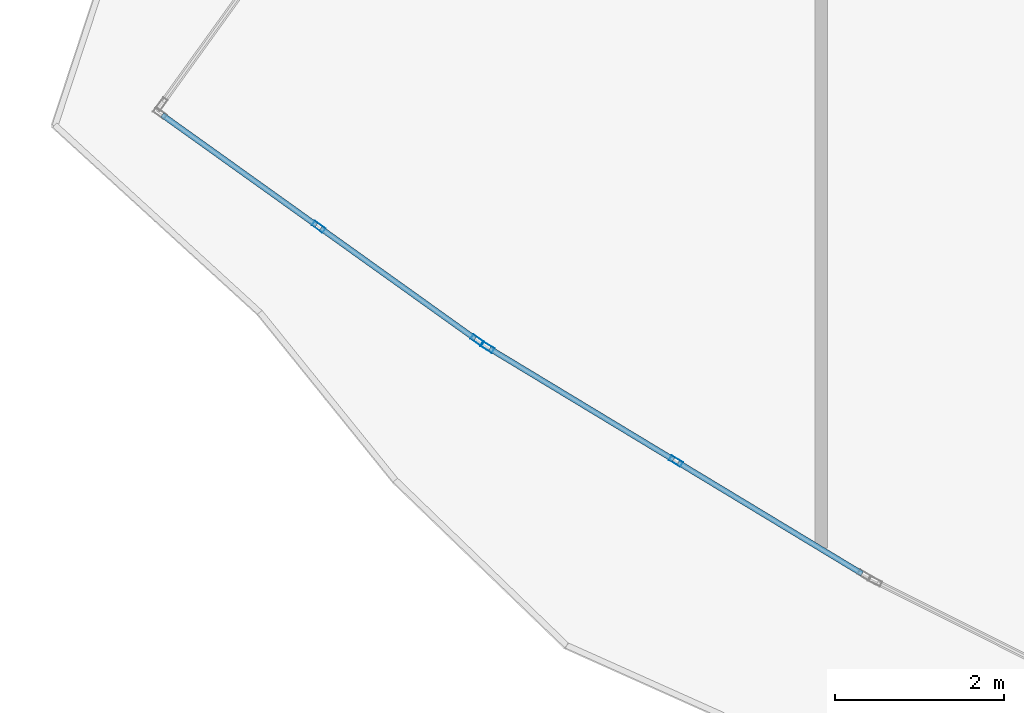
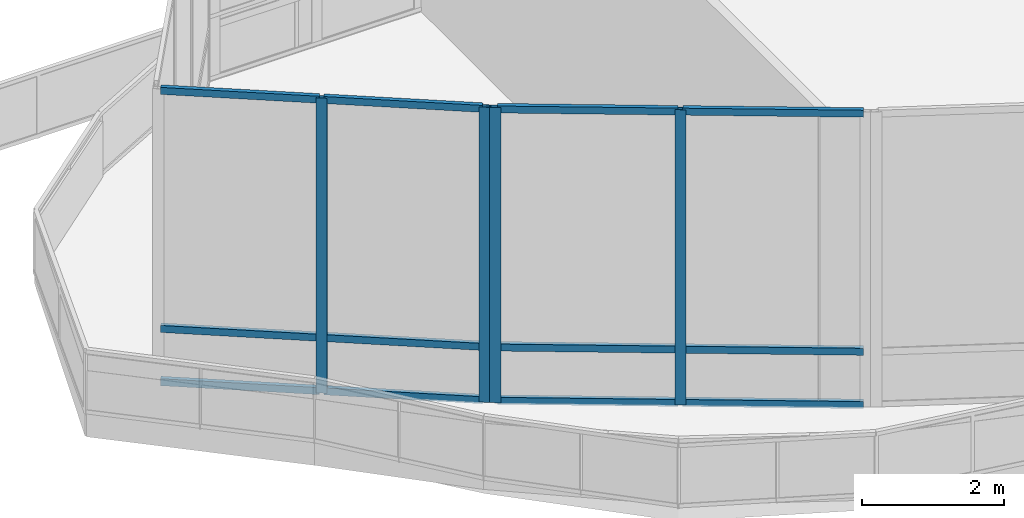
# One storey, part 15 of 158: 16 members, 2 elements without a shape of their own.
"""IFC4 building model written with IfcOpenShell, lengths in metres."""

import ifcopenshell
import ifcopenshell.guid

model = None  # the IFC model being written
_history = None  # IfcOwnerHistory: only IFC2X3 demands one
_inside = {}  # id of a spatial element -> (the spatial element, [elements in it])
_under = {}  # id of a project, library or spatial element -> (it, [spatial elements below it])
_declared = {}  # id of a project -> (the project, [libraries it declares])
_typed = {}  # id of a type object -> (the type object, [elements of that type])
_made_of = {}  # id of a material, layer set ... -> (it, [elements and type objects made of it])


def new_model(schema):
    """Start an empty IFC model of exactly this schema.

    Asked for "IFC4X3", IfcOpenShell would pick the latest addendum, in which some entities
    have other attributes; the version numbers below select the first issue.
    IFC2X3 requires an IfcOwnerHistory on every rooted entity: one is made here for all.
    """
    global model, _history
    if schema == "IFC4X3":
        model = ifcopenshell.file(schema_version=(4, 3, 0, 0))
    else:
        model = ifcopenshell.file(schema=schema)
    _inside.clear()
    _under.clear()
    _declared.clear()
    _typed.clear()
    _made_of.clear()
    _history = None
    if model.schema == "IFC2X3":
        org = make("IfcOrganization", Name="unknown")
        user = make(
            "IfcPersonAndOrganization",
            ThePerson=make("IfcPerson", FamilyName="unknown"),
            TheOrganization=org,
        )
        app = make(
            "IfcApplication",
            ApplicationDeveloper=org,
            Version="unknown",
            ApplicationFullName="unknown",
            ApplicationIdentifier="unknown",
        )
        _history = make(
            "IfcOwnerHistory",
            OwningUser=user,
            OwningApplication=app,
            ChangeAction="ADDED",
            CreationDate=0,
        )
    return model


def make(cls, **values):
    """One entity of the class cls with the attributes given. An attribute that is None is left unset."""
    return model.create_entity(
        cls, **{name: value for name, value in values.items() if value is not None}
    )


def rooted(cls, **values):
    """An entity with a GlobalId (a new one), such as an element, a storey or a relation."""
    return make(cls, GlobalId=ifcopenshell.guid.new(), OwnerHistory=_history, **values)


def si_unit(unit_type, name, prefix=None):
    """IfcSIUnit, for example si_unit("LENGTHUNIT", "METRE", prefix="MILLI")."""
    return make("IfcSIUnit", UnitType=unit_type, Prefix=prefix, Name=name)


def assignment(units):
    """IfcUnitAssignment: the units of a project."""
    return None if units is None else make("IfcUnitAssignment", Units=units)


def point(xyz):
    """IfcCartesianPoint."""
    return None if xyz is None else make("IfcCartesianPoint", Coordinates=xyz)


def direction(xyz):
    """IfcDirection."""
    return None if xyz is None else make("IfcDirection", DirectionRatios=xyz)


def frame(location, z_axis=None, x_axis=None):
    """IfcAxis2Placement3D, a coordinate frame: its origin and axes. An axis left out is left unset."""
    return make(
        "IfcAxis2Placement3D",
        Location=point(location),
        Axis=direction(z_axis),
        RefDirection=direction(x_axis),
    )


def frame_2d(location, x_axis=None):
    """IfcAxis2Placement2D, a coordinate frame in the plane: its origin and x axis."""
    return make(
        "IfcAxis2Placement2D", Location=point(location), RefDirection=direction(x_axis)
    )


def origin():
    """The frame at (0, 0, 0) with its axes left unset."""
    return frame((0.0, 0.0, 0.0))


def origin_2d():
    """The frame at (0, 0) in the plane with its x axis left unset."""
    return frame_2d((0.0, 0.0))


def place(relative_to, where):
    """IfcLocalPlacement: puts the frame where relative to a parent placement (None: the world)."""
    return make(
        "IfcLocalPlacement", PlacementRelTo=relative_to, RelativePlacement=where
    )


def context(
    kind, dimensions, precision=None, world=None, true_north=None, identifier=None
):
    """IfcGeometricRepresentationContext, for example the 3D "Model" context."""
    return make(
        "IfcGeometricRepresentationContext",
        ContextIdentifier=identifier,
        ContextType=kind,
        CoordinateSpaceDimension=dimensions,
        Precision=precision,
        WorldCoordinateSystem=world,
        TrueNorth=true_north,
    )


def subcontext(parent, identifier, kind, view, scale=None):
    """IfcGeometricRepresentationSubContext, for example "Body" below "Model"."""
    return make(
        "IfcGeometricRepresentationSubContext",
        ContextIdentifier=identifier,
        ContextType=kind,
        ParentContext=parent,
        TargetScale=scale,
        TargetView=view,
    )


def project(units=None, contexts=None):
    """IfcProject with its units and contexts."""
    return rooted(
        "IfcProject",
        Name="project",
        RepresentationContexts=contexts,
        UnitsInContext=assignment(units),
    )


def spatial(cls, under=None, at=None, **own):
    """A site, building, storey or space (cls), placed at a placement, below another one or the project."""
    s = rooted(cls, ObjectPlacement=at, **own)
    if under is not None:
        _under.setdefault(under.id(), (under, []))[1].append(s)
    return s


def profile(cls, at=None, kind="AREA", **sizes):
    """A parametric profile (cls). Its sizes go by their IFC names, for example OverallWidth=200.0."""
    return make(cls, ProfileType=kind, Position=at, **sizes)


def hollow_rectangle(**sizes):
    """IfcRectangleHollowProfileDef."""
    return profile("IfcRectangleHollowProfileDef", **sizes)


def extrude(swept, where, along, depth):
    """IfcExtrudedAreaSolid: the profile swept, set in the frame where, extruded along a direction by depth."""
    return make(
        "IfcExtrudedAreaSolid",
        SweptArea=swept,
        Position=where,
        ExtrudedDirection=direction(along),
        Depth=depth,
    )


def shape(context_of_items, identifier, shape_type, items):
    """IfcShapeRepresentation: the items that make up one representation, for example the "Body"."""
    return make(
        "IfcShapeRepresentation",
        ContextOfItems=context_of_items,
        RepresentationIdentifier=identifier,
        RepresentationType=shape_type,
        Items=items,
    )


def material(Name=None, Category=None):
    """IfcMaterial."""
    return make("IfcMaterial", Name=Name, Category=Category)


def material_profile(
    of_material, cross_section, Name=None, Category=None, Priority=None
):
    """IfcMaterialProfile: a cross section and its material."""
    return make(
        "IfcMaterialProfile",
        Name=Name,
        Material=of_material,
        Profile=cross_section,
        Priority=Priority,
        Category=Category,
    )


def profile_set(profiles, Name=None, composite=None):
    """IfcMaterialProfileSet."""
    return make(
        "IfcMaterialProfileSet",
        Name=Name,
        MaterialProfiles=profiles,
        CompositeProfile=composite,
    )


def made_of(thing, what):
    """Note that an element or type object is made of a material, layer set ...; save() writes the relation."""
    if what is not None:
        _made_of.setdefault(what.id(), (what, []))[1].append(thing)
    return thing


def type_object(cls, material=None, **own):
    """A type object (cls), such as IfcWallType, which elements share."""
    return made_of(rooted(cls, **own), material)


def element(
    cls,
    number,
    at=None,
    inside=None,
    cuts=None,
    type_object=None,
    material=None,
    context=None,
    identifier="Body",
    shape_type=None,
    held_by="IfcProductDefinitionShape",
    body=None,
    shapes=None,
    **own,
):
    """One element of the class cls, such as IfcWall. Its Tag is "e" and its number.

    at: its placement. inside: the storey or other place that contains it. cuts: it is an
    opening in that element (IfcRelVoidsElement). A single representation is given by context,
    identifier, shape_type and body (its items); several are given by shapes. held_by: the class
    of the entity that holds the representations. save() writes the other relations.
    """
    e = rooted(cls, Tag="e%d" % number, ObjectPlacement=at, **own)
    if body is not None:
        shapes = [shape(context, identifier, shape_type, body)]
    if shapes is not None:
        e.Representation = make(held_by, Representations=shapes)
    if inside is not None:
        _inside.setdefault(inside.id(), (inside, []))[1].append(e)
    if cuts is not None:
        rooted(
            "IfcRelVoidsElement", RelatingBuildingElement=cuts, RelatedOpeningElement=e
        )
    if type_object is not None:
        _typed.setdefault(type_object.id(), (type_object, []))[1].append(e)
    return made_of(e, material)


def aggregate(whole, parts):
    """IfcRelAggregates: a whole, such as a stair, and the parts it consists of."""
    return rooted("IfcRelAggregates", RelatingObject=whole, RelatedObjects=parts)


def save(model, path):
    """Write the relations noted so far, then the file.

    IfcRelAggregates (storeys below a building ...), IfcRelContainedInSpatialStructure (elements
    in a storey), IfcRelDefinesByType, IfcRelAssociatesMaterial and IfcRelDeclares: one each for
    every whole, place, type object, material and project.
    """
    for whole, parts in _under.values():
        aggregate(whole, parts)
    for where, things in _inside.values():
        rooted(
            "IfcRelContainedInSpatialStructure",
            RelatedElements=things,
            RelatingStructure=where,
        )
    for kind, things in _typed.values():
        rooted("IfcRelDefinesByType", RelatedObjects=things, RelatingType=kind)
    for what, things in _made_of.values():
        rooted("IfcRelAssociatesMaterial", RelatedObjects=things, RelatingMaterial=what)
    for by, libraries in _declared.values():
        rooted("IfcRelDeclares", RelatingContext=by, RelatedDefinitions=libraries)
    model.write(path)


model = new_model("IFC4")

# Units and contexts
model_context = context("Model", 3, precision=1e-05, world=origin(), true_north=direction((0.0, 1.0)))
body_context = subcontext(model_context, "Body", "Model", "MODEL_VIEW")
ifc_project = project(units=[si_unit("LENGTHUNIT", "METRE"), si_unit("AREAUNIT", "SQUARE_METRE"), si_unit("VOLUMEUNIT", "CUBIC_METRE"), si_unit("PLANEANGLEUNIT", "RADIAN"), si_unit("MASSUNIT", "GRAM", prefix="KILO")], contexts=[model_context])

# Site, building, storey
site_placement = place(None, origin())
site = spatial("IfcSite", under=ifc_project, at=site_placement, CompositionType="ELEMENT")
building_placement = place(site_placement, origin())
building = spatial("IfcBuilding", under=site, at=building_placement, Name="Selatvlak General Hospital", CompositionType="ELEMENT")
storey_placement = place(building_placement, origin())
storey = spatial("IfcBuildingStorey", under=building, at=storey_placement, Name="L00", CompositionType="ELEMENT", Elevation=0.0)

# Curtain wall, members
ifc_material_1 = material(Name="Solar-control Low-E double glazing", Category="glass")
curtain_wall_type_1 = type_object("IfcCurtainWallType", Name="CW-CW-01", PredefinedType="USERDEFINED", material=ifc_material_1)
curtain_wall_1_placement = place(storey_placement, origin())
curtain_wall_1 = element("IfcCurtainWall", 1, at=curtain_wall_1_placement, inside=storey, type_object=curtain_wall_type_1, Name="Glazed facade curtain wall CW-L00-0061", ObjectType="UNITISED CURTAIN WALL", PredefinedType="USERDEFINED")
ifc_material_2 = material(Name="Dark anodised aluminium mullion", Category="aluminium")
ifc_material_profile_1 = material_profile(ifc_material_2, hollow_rectangle(XDim=0.06494140625, YDim=0.159912109375, WallThickness=0.00390625, at=origin_2d()), Name="AL-MUL 65x160x4")
ifc_profile_set_1 = profile_set([ifc_material_profile_1], Name="Dark anodised aluminium mullion")
member_type_1 = type_object("IfcMemberType", Name="CWM-01", PredefinedType="MULLION", material=ifc_profile_set_1)
member_1_placement = place(storey_placement, frame((21.075439453125, 21.799072265625, 0.0), z_axis=(0.0, 0.0, 1.0), x_axis=(-0.517412897815, -0.855735878163, 0.0)))
member_1 = element("IfcMember", 2, at=member_1_placement, type_object=member_type_1, Name="CW-01 mullion 2", PredefinedType="MULLION", context=body_context, shape_type="SweptSolid", body=[
    extrude(hollow_rectangle(XDim=0.06494140625, YDim=0.159912109375, WallThickness=0.00390625, at=origin_2d()), origin(), (0.0, 0.0, 1.0), 5.080078125),
])
member_2_placement = place(storey_placement, frame((18.8408203125, 23.150146484375, 0.0), z_axis=(0.0, 0.0, 1.0), x_axis=(-0.517412897815, -0.855735878163, 0.0)))
member_2 = element("IfcMember", 3, at=member_2_placement, type_object=member_type_1, Name="CW-01 mullion 3", PredefinedType="MULLION", context=body_context, shape_type="SweptSolid", body=[
    extrude(hollow_rectangle(XDim=0.06494140625, YDim=0.159912109375, WallThickness=0.00390625, at=origin_2d()), origin(), (0.0, 0.0, 1.0), 5.080078125),
])

curtain_wall_type_2 = type_object("IfcCurtainWallType", Name="CW-CW-02", PredefinedType="USERDEFINED", material=ifc_material_1)
curtain_wall_2_placement = place(storey_placement, origin())
curtain_wall_2 = element("IfcCurtainWall", 4, at=curtain_wall_2_placement, inside=storey, type_object=curtain_wall_type_2, Name="Glazed facade curtain wall CW-L00-0062", ObjectType="UNITISED CURTAIN WALL", PredefinedType="USERDEFINED")
member_3_placement = place(storey_placement, frame((18.720458984375, 23.23193359375, 0.0), z_axis=(0.0, 0.0, 1.0), x_axis=(-0.581802726189, -0.813329937847, 0.0)))
member_3 = element("IfcMember", 5, at=member_3_placement, type_object=member_type_1, Name="CW-02 mullion 1", PredefinedType="MULLION", context=body_context, shape_type="SweptSolid", body=[
    extrude(hollow_rectangle(XDim=0.06494140625, YDim=0.159912109375, WallThickness=0.00390625, at=origin_2d()), origin(), (0.0, 0.0, 1.0), 5.080078125),
])
member_4_placement = place(storey_placement, frame((16.839599609375, 24.577392578125, 0.0), z_axis=(0.0, 0.0, 1.0), x_axis=(-0.581802726189, -0.813329937847, 0.0)))
member_4 = element("IfcMember", 6, at=member_4_placement, type_object=member_type_1, Name="CW-02 mullion 2", PredefinedType="MULLION", context=body_context, shape_type="SweptSolid", body=[
    extrude(hollow_rectangle(XDim=0.06494140625, YDim=0.159912109375, WallThickness=0.00390625, at=origin_2d()), origin(), (0.0, 0.0, 1.0), 5.080078125),
])

# Member
ifc_material_profile_2 = material_profile(ifc_material_2, hollow_rectangle(XDim=0.06494140625, YDim=0.1201171875, WallThickness=0.00390625, at=origin_2d()), Name="AL-TRN 65x120x4")
ifc_profile_set_2 = profile_set([ifc_material_profile_2], Name="Dark anodised aluminium mullion")
member_type_2 = type_object("IfcMemberType", Name="CWT-01", PredefinedType="USERDEFINED", material=ifc_profile_set_2)
member_5_placement = place(storey_placement, frame((23.282470703125, 20.464599609375, 0.032470703125), z_axis=(-0.85573691943, 0.517411175685, 0.0), x_axis=(-0.517411175685, -0.85573691943, 0.0)))
member_5 = element("IfcMember", 7, at=member_5_placement, type_object=member_type_2, Name="CW-01 transom 1.1", ObjectType="TRANSOM", PredefinedType="USERDEFINED", context=body_context, shape_type="SweptSolid", body=[
    extrude(hollow_rectangle(XDim=0.06494140625, YDim=0.1201171875, WallThickness=0.00390625, at=origin_2d()), origin(), (0.0, 0.0, 1.0), 2.546630859375),
])

member_6_placement = place(storey_placement, frame((23.282470703125, 20.464599609375, 0.949951171875), z_axis=(-0.85573691943, 0.517411175685, 0.0), x_axis=(-0.517411175685, -0.85573691943, 0.0)))
member_6 = element("IfcMember", 8, at=member_6_placement, type_object=member_type_2, Name="CW-01 transom 1.2", ObjectType="TRANSOM", PredefinedType="USERDEFINED", context=body_context, shape_type="SweptSolid", body=[
    extrude(hollow_rectangle(XDim=0.06494140625, YDim=0.1201171875, WallThickness=0.00390625, at=origin_2d()), origin(), (0.0, 0.0, 1.0), 2.546630859375),
])

member_7_placement = place(storey_placement, frame((23.282470703125, 20.464599609375, 5.047607421875), z_axis=(-0.85573691943, 0.517411175685, 0.0), x_axis=(-0.517411175685, -0.85573691943, 0.0)))
member_7 = element("IfcMember", 9, at=member_7_placement, type_object=member_type_2, Name="CW-01 transom 1.3", ObjectType="TRANSOM", PredefinedType="USERDEFINED", context=body_context, shape_type="SweptSolid", body=[
    extrude(hollow_rectangle(XDim=0.06494140625, YDim=0.1201171875, WallThickness=0.00390625, at=origin_2d()), origin(), (0.0, 0.0, 1.0), 2.546630859375),
])

member_8_placement = place(storey_placement, frame((21.047607421875, 21.81591796875, 0.032470703125), z_axis=(-0.855753703596, 0.517383415642, 0.0), x_axis=(-0.517383415642, -0.855753703596, 0.0)))
member_8 = element("IfcMember", 10, at=member_8_placement, type_object=member_type_2, Name="CW-01 transom 2.1", ObjectType="TRANSOM", PredefinedType="USERDEFINED", context=body_context, shape_type="SweptSolid", body=[
    extrude(hollow_rectangle(XDim=0.06494140625, YDim=0.1201171875, WallThickness=0.00390625, at=origin_2d()), origin(), (0.0, 0.0, 1.0), 2.546142578125),
])

member_9_placement = place(storey_placement, frame((21.047607421875, 21.81591796875, 0.949951171875), z_axis=(-0.855753703596, 0.517383415642, 0.0), x_axis=(-0.517383415642, -0.855753703596, 0.0)))
member_9 = element("IfcMember", 11, at=member_9_placement, type_object=member_type_2, Name="CW-01 transom 2.2", ObjectType="TRANSOM", PredefinedType="USERDEFINED", context=body_context, shape_type="SweptSolid", body=[
    extrude(hollow_rectangle(XDim=0.06494140625, YDim=0.1201171875, WallThickness=0.00390625, at=origin_2d()), origin(), (0.0, 0.0, 1.0), 2.546142578125),
])

member_10_placement = place(storey_placement, frame((21.047607421875, 21.81591796875, 5.047607421875), z_axis=(-0.855753703596, 0.517383415642, 0.0), x_axis=(-0.517383415642, -0.855753703596, 0.0)))
member_10 = element("IfcMember", 12, at=member_10_placement, type_object=member_type_2, Name="CW-01 transom 2.3", ObjectType="TRANSOM", PredefinedType="USERDEFINED", context=body_context, shape_type="SweptSolid", body=[
    extrude(hollow_rectangle(XDim=0.06494140625, YDim=0.1201171875, WallThickness=0.00390625, at=origin_2d()), origin(), (0.0, 0.0, 1.0), 2.546142578125),
])

aggregate(curtain_wall_1, [member_1, member_2, member_5, member_6, member_7, member_8, member_9, member_10])

member_11_placement = place(storey_placement, frame((18.694091796875, 23.250732421875, 0.032470703125), z_axis=(-0.81330025791, 0.581844214961, 0.0), x_axis=(-0.581844214961, -0.81330025791, 0.0)))
member_11 = element("IfcMember", 13, at=member_11_placement, type_object=member_type_2, Name="CW-02 transom 1.1", ObjectType="TRANSOM", PredefinedType="USERDEFINED", context=body_context, shape_type="SweptSolid", body=[
    extrude(hollow_rectangle(XDim=0.06494140625, YDim=0.1201171875, WallThickness=0.00390625, at=origin_2d()), origin(), (0.0, 0.0, 1.0), 2.247802734375),
])

member_12_placement = place(storey_placement, frame((18.694091796875, 23.250732421875, 0.949951171875), z_axis=(-0.81330025791, 0.581844214961, 0.0), x_axis=(-0.581844214961, -0.81330025791, 0.0)))
member_12 = element("IfcMember", 14, at=member_12_placement, type_object=member_type_2, Name="CW-02 transom 1.2", ObjectType="TRANSOM", PredefinedType="USERDEFINED", context=body_context, shape_type="SweptSolid", body=[
    extrude(hollow_rectangle(XDim=0.06494140625, YDim=0.1201171875, WallThickness=0.00390625, at=origin_2d()), origin(), (0.0, 0.0, 1.0), 2.247802734375),
])

member_13_placement = place(storey_placement, frame((18.694091796875, 23.250732421875, 5.047607421875), z_axis=(-0.81330025791, 0.581844214961, 0.0), x_axis=(-0.581844214961, -0.81330025791, 0.0)))
member_13 = element("IfcMember", 15, at=member_13_placement, type_object=member_type_2, Name="CW-02 transom 1.3", ObjectType="TRANSOM", PredefinedType="USERDEFINED", context=body_context, shape_type="SweptSolid", body=[
    extrude(hollow_rectangle(XDim=0.06494140625, YDim=0.1201171875, WallThickness=0.00390625, at=origin_2d()), origin(), (0.0, 0.0, 1.0), 2.247802734375),
])

member_14_placement = place(storey_placement, frame((16.81298828125, 24.596435546875, 0.032470703125), z_axis=(-0.81330025791, 0.581844214961, 0.0), x_axis=(-0.581844214961, -0.81330025791, 0.0)))
member_14 = element("IfcMember", 16, at=member_14_placement, type_object=member_type_2, Name="CW-02 transom 2.1", ObjectType="TRANSOM", PredefinedType="USERDEFINED", context=body_context, shape_type="SweptSolid", body=[
    extrude(hollow_rectangle(XDim=0.06494140625, YDim=0.1201171875, WallThickness=0.00390625, at=origin_2d()), origin(), (0.0, 0.0, 1.0), 2.247802734375),
])

member_15_placement = place(storey_placement, frame((16.81298828125, 24.596435546875, 0.949951171875), z_axis=(-0.81330025791, 0.581844214961, 0.0), x_axis=(-0.581844214961, -0.81330025791, 0.0)))
member_15 = element("IfcMember", 17, at=member_15_placement, type_object=member_type_2, Name="CW-02 transom 2.2", ObjectType="TRANSOM", PredefinedType="USERDEFINED", context=body_context, shape_type="SweptSolid", body=[
    extrude(hollow_rectangle(XDim=0.06494140625, YDim=0.1201171875, WallThickness=0.00390625, at=origin_2d()), origin(), (0.0, 0.0, 1.0), 2.247802734375),
])

member_16_placement = place(storey_placement, frame((16.81298828125, 24.596435546875, 5.047607421875), z_axis=(-0.81330025791, 0.581844214961, 0.0), x_axis=(-0.581844214961, -0.81330025791, 0.0)))
member_16 = element("IfcMember", 18, at=member_16_placement, type_object=member_type_2, Name="CW-02 transom 2.3", ObjectType="TRANSOM", PredefinedType="USERDEFINED", context=body_context, shape_type="SweptSolid", body=[
    extrude(hollow_rectangle(XDim=0.06494140625, YDim=0.1201171875, WallThickness=0.00390625, at=origin_2d()), origin(), (0.0, 0.0, 1.0), 2.247802734375),
])

aggregate(curtain_wall_2, [member_3, member_4, member_11, member_12, member_13, member_14, member_15, member_16])

save(model, "model.ifc")
